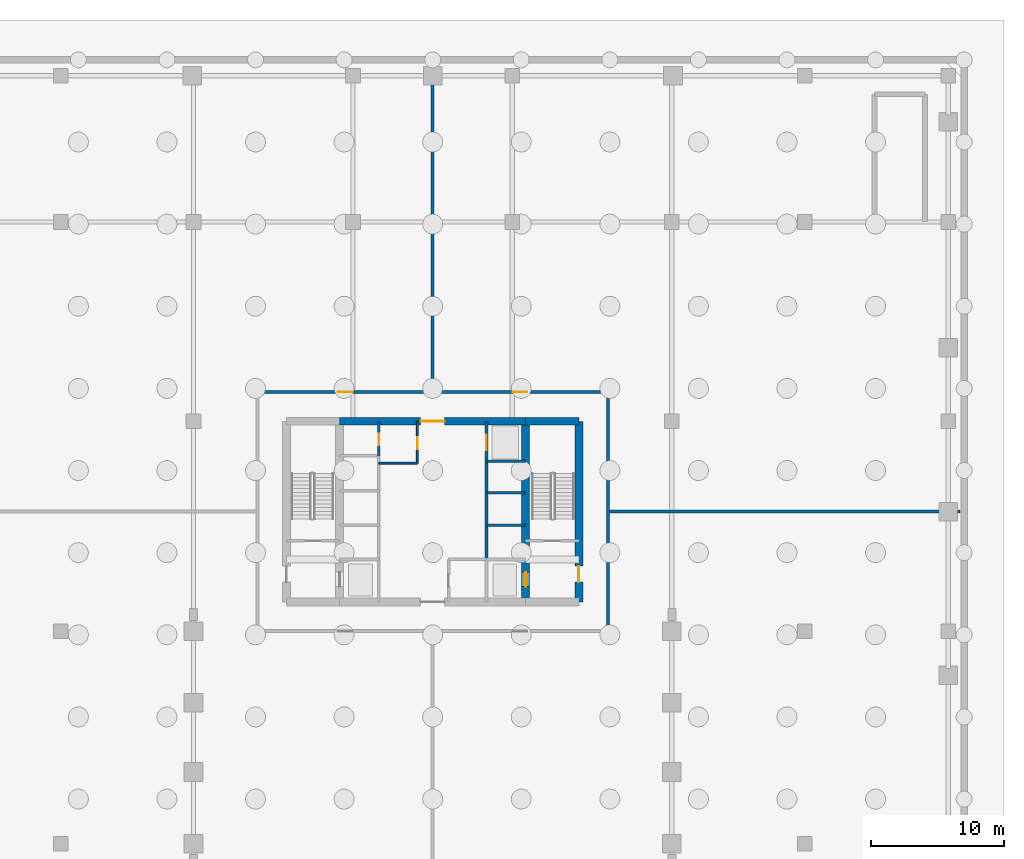
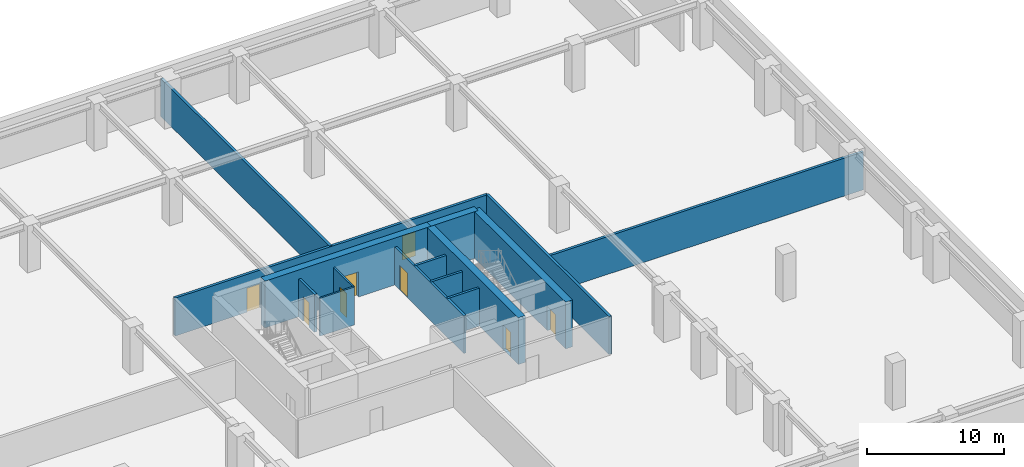
# One storey, part 5 of 8: 15 walls, 8 doors, 8 openings.
"""IFC4 building model written with IfcOpenShell, lengths in metres."""

import ifcopenshell
import ifcopenshell.guid

model = None  # the IFC model being written
_history = None  # IfcOwnerHistory: only IFC2X3 demands one
_inside = {}  # id of a spatial element -> (the spatial element, [elements in it])
_under = {}  # id of a project, library or spatial element -> (it, [spatial elements below it])
_declared = {}  # id of a project -> (the project, [libraries it declares])
_typed = {}  # id of a type object -> (the type object, [elements of that type])
_made_of = {}  # id of a material, layer set ... -> (it, [elements and type objects made of it])


def new_model(schema):
    """Start an empty IFC model of exactly this schema.

    Asked for "IFC4X3", IfcOpenShell would pick the latest addendum, in which some entities
    have other attributes; the version numbers below select the first issue.
    IFC2X3 requires an IfcOwnerHistory on every rooted entity: one is made here for all.
    """
    global model, _history
    if schema == "IFC4X3":
        model = ifcopenshell.file(schema_version=(4, 3, 0, 0))
    else:
        model = ifcopenshell.file(schema=schema)
    _inside.clear()
    _under.clear()
    _declared.clear()
    _typed.clear()
    _made_of.clear()
    _history = None
    if model.schema == "IFC2X3":
        org = make("IfcOrganization", Name="unknown")
        user = make(
            "IfcPersonAndOrganization",
            ThePerson=make("IfcPerson", FamilyName="unknown"),
            TheOrganization=org,
        )
        app = make(
            "IfcApplication",
            ApplicationDeveloper=org,
            Version="unknown",
            ApplicationFullName="unknown",
            ApplicationIdentifier="unknown",
        )
        _history = make(
            "IfcOwnerHistory",
            OwningUser=user,
            OwningApplication=app,
            ChangeAction="ADDED",
            CreationDate=0,
        )
    return model


def make(cls, **values):
    """One entity of the class cls with the attributes given. An attribute that is None is left unset."""
    return model.create_entity(
        cls, **{name: value for name, value in values.items() if value is not None}
    )


def rooted(cls, **values):
    """An entity with a GlobalId (a new one), such as an element, a storey or a relation."""
    return make(cls, GlobalId=ifcopenshell.guid.new(), OwnerHistory=_history, **values)


def si_unit(unit_type, name, prefix=None):
    """IfcSIUnit, for example si_unit("LENGTHUNIT", "METRE", prefix="MILLI")."""
    return make("IfcSIUnit", UnitType=unit_type, Prefix=prefix, Name=name)


def assignment(units):
    """IfcUnitAssignment: the units of a project."""
    return None if units is None else make("IfcUnitAssignment", Units=units)


def point(xyz):
    """IfcCartesianPoint."""
    return None if xyz is None else make("IfcCartesianPoint", Coordinates=xyz)


def direction(xyz):
    """IfcDirection."""
    return None if xyz is None else make("IfcDirection", DirectionRatios=xyz)


def frame(location, z_axis=None, x_axis=None):
    """IfcAxis2Placement3D, a coordinate frame: its origin and axes. An axis left out is left unset."""
    return make(
        "IfcAxis2Placement3D",
        Location=point(location),
        Axis=direction(z_axis),
        RefDirection=direction(x_axis),
    )


def frame_2d(location, x_axis=None):
    """IfcAxis2Placement2D, a coordinate frame in the plane: its origin and x axis."""
    return make(
        "IfcAxis2Placement2D", Location=point(location), RefDirection=direction(x_axis)
    )


def origin():
    """The frame at (0, 0, 0) with its axes left unset."""
    return frame((0.0, 0.0, 0.0))


def place(relative_to, where):
    """IfcLocalPlacement: puts the frame where relative to a parent placement (None: the world)."""
    return make(
        "IfcLocalPlacement", PlacementRelTo=relative_to, RelativePlacement=where
    )


def context(
    kind, dimensions, precision=None, world=None, true_north=None, identifier=None
):
    """IfcGeometricRepresentationContext, for example the 3D "Model" context."""
    return make(
        "IfcGeometricRepresentationContext",
        ContextIdentifier=identifier,
        ContextType=kind,
        CoordinateSpaceDimension=dimensions,
        Precision=precision,
        WorldCoordinateSystem=world,
        TrueNorth=true_north,
    )


def subcontext(parent, identifier, kind, view, scale=None):
    """IfcGeometricRepresentationSubContext, for example "Body" below "Model"."""
    return make(
        "IfcGeometricRepresentationSubContext",
        ContextIdentifier=identifier,
        ContextType=kind,
        ParentContext=parent,
        TargetScale=scale,
        TargetView=view,
    )


def project(units=None, contexts=None):
    """IfcProject with its units and contexts."""
    return rooted(
        "IfcProject",
        Name="project",
        RepresentationContexts=contexts,
        UnitsInContext=assignment(units),
    )


def spatial(cls, under=None, at=None, **own):
    """A site, building, storey or space (cls), placed at a placement, below another one or the project."""
    s = rooted(cls, ObjectPlacement=at, **own)
    if under is not None:
        _under.setdefault(under.id(), (under, []))[1].append(s)
    return s


def profile(cls, at=None, kind="AREA", **sizes):
    """A parametric profile (cls). Its sizes go by their IFC names, for example OverallWidth=200.0."""
    return make(cls, ProfileType=kind, Position=at, **sizes)


def rectangle(**sizes):
    """IfcRectangleProfileDef."""
    return profile("IfcRectangleProfileDef", **sizes)


def extrude(swept, where, along, depth):
    """IfcExtrudedAreaSolid: the profile swept, set in the frame where, extruded along a direction by depth."""
    return make(
        "IfcExtrudedAreaSolid",
        SweptArea=swept,
        Position=where,
        ExtrudedDirection=direction(along),
        Depth=depth,
    )


def shape(context_of_items, identifier, shape_type, items):
    """IfcShapeRepresentation: the items that make up one representation, for example the "Body"."""
    return make(
        "IfcShapeRepresentation",
        ContextOfItems=context_of_items,
        RepresentationIdentifier=identifier,
        RepresentationType=shape_type,
        Items=items,
    )


def material(Name=None, Category=None):
    """IfcMaterial."""
    return make("IfcMaterial", Name=Name, Category=Category)


def layer(
    of_material, thickness, ventilated=None, Name=None, Category=None, Priority=None
):
    """IfcMaterialLayer: one layer of a wall or slab, of a material (None: an air gap)."""
    return make(
        "IfcMaterialLayer",
        Material=of_material,
        LayerThickness=thickness,
        IsVentilated=ventilated,
        Name=Name,
        Category=Category,
        Priority=Priority,
    )


def layer_set(layers, Name=None):
    """IfcMaterialLayerSet."""
    return make("IfcMaterialLayerSet", MaterialLayers=layers, LayerSetName=Name)


def made_of(thing, what):
    """Note that an element or type object is made of a material, layer set ...; save() writes the relation."""
    if what is not None:
        _made_of.setdefault(what.id(), (what, []))[1].append(thing)
    return thing


def type_object(cls, material=None, **own):
    """A type object (cls), such as IfcWallType, which elements share."""
    return made_of(rooted(cls, **own), material)


def element(
    cls,
    number,
    at=None,
    inside=None,
    cuts=None,
    type_object=None,
    material=None,
    context=None,
    identifier="Body",
    shape_type=None,
    held_by="IfcProductDefinitionShape",
    body=None,
    shapes=None,
    **own,
):
    """One element of the class cls, such as IfcWall. Its Tag is "e" and its number.

    at: its placement. inside: the storey or other place that contains it. cuts: it is an
    opening in that element (IfcRelVoidsElement). A single representation is given by context,
    identifier, shape_type and body (its items); several are given by shapes. held_by: the class
    of the entity that holds the representations. save() writes the other relations.
    """
    e = rooted(cls, Tag="e%d" % number, ObjectPlacement=at, **own)
    if body is not None:
        shapes = [shape(context, identifier, shape_type, body)]
    if shapes is not None:
        e.Representation = make(held_by, Representations=shapes)
    if inside is not None:
        _inside.setdefault(inside.id(), (inside, []))[1].append(e)
    if cuts is not None:
        rooted(
            "IfcRelVoidsElement", RelatingBuildingElement=cuts, RelatedOpeningElement=e
        )
    if type_object is not None:
        _typed.setdefault(type_object.id(), (type_object, []))[1].append(e)
    return made_of(e, material)


def fill(opening, filler):
    """IfcRelFillsElement: the door or window that sits in an opening."""
    return rooted(
        "IfcRelFillsElement",
        RelatingOpeningElement=opening,
        RelatedBuildingElement=filler,
    )


def aggregate(whole, parts):
    """IfcRelAggregates: a whole, such as a stair, and the parts it consists of."""
    return rooted("IfcRelAggregates", RelatingObject=whole, RelatedObjects=parts)


def save(model, path):
    """Write the relations noted so far, then the file.

    IfcRelAggregates (storeys below a building ...), IfcRelContainedInSpatialStructure (elements
    in a storey), IfcRelDefinesByType, IfcRelAssociatesMaterial and IfcRelDeclares: one each for
    every whole, place, type object, material and project.
    """
    for whole, parts in _under.values():
        aggregate(whole, parts)
    for where, things in _inside.values():
        rooted(
            "IfcRelContainedInSpatialStructure",
            RelatedElements=things,
            RelatingStructure=where,
        )
    for kind, things in _typed.values():
        rooted("IfcRelDefinesByType", RelatedObjects=things, RelatingType=kind)
    for what, things in _made_of.values():
        rooted("IfcRelAssociatesMaterial", RelatedObjects=things, RelatingMaterial=what)
    for by, libraries in _declared.values():
        rooted("IfcRelDeclares", RelatingContext=by, RelatedDefinitions=libraries)
    model.write(path)


model = new_model("IFC4")

# Units and contexts
model_context = context("Model", 3, precision=1e-05, world=origin(), true_north=direction((0.0, 1.0)))
body_context = subcontext(model_context, "Body", "Model", "MODEL_VIEW")
ifc_project = project(units=[si_unit("LENGTHUNIT", "METRE"), si_unit("AREAUNIT", "SQUARE_METRE"), si_unit("VOLUMEUNIT", "CUBIC_METRE"), si_unit("PLANEANGLEUNIT", "RADIAN"), si_unit("MASSUNIT", "GRAM", prefix="KILO")], contexts=[model_context])

# Site, building, storey
site_placement = place(None, origin())
site = spatial("IfcSite", under=ifc_project, at=site_placement, CompositionType="ELEMENT")
building_placement = place(site_placement, origin())
building = spatial("IfcBuilding", under=site, at=building_placement, Name="Sarneth Arch Tower", CompositionType="ELEMENT")
storey_placement = place(building_placement, frame((0.0, 0.0, -9.0)))
storey = spatial("IfcBuildingStorey", under=building, at=storey_placement, Name="B02", CompositionType="ELEMENT", Elevation=-9.0)

# Wall, opening, door
ifc_material_1 = material(Name="Concrete C60/75", Category="concrete")
ifc_layer_1 = layer(ifc_material_1, 0.60009765625)
ifc_layer_set_1 = layer_set([ifc_layer_1], Name="Concrete C60/75")
wall_type_1 = type_object("IfcWallType", Name="WALL-CORE-600", PredefinedType="SHEAR", material=ifc_layer_set_1)
wall_1_placement = place(storey_placement, frame((41.0, 48.800048828125, 0.0), z_axis=(0.0, 0.0, 1.0), x_axis=(1.0, 0.0, 0.0)))
wall_1 = element("IfcWall", 1, at=wall_1_placement, inside=storey, type_object=wall_type_1, Name="B02 Core shear wall N-M", PredefinedType="SHEAR", context=body_context, shape_type="SweptSolid", body=[
    extrude(rectangle(XDim=14.0, YDim=0.60009765625, at=frame_2d((7.0, 0.0))), origin(), (0.0, 0.0, 1.0), 4.179931640625),
])
opening_1_placement = place(wall_1_placement, frame((6.10009765625, 0.0, 0.0)))
opening_1 = element("IfcOpeningElement", 2, at=opening_1_placement, cuts=wall_1, Name="Opening FD-01", PredefinedType="OPENING", context=body_context, shape_type="SweptSolid", body=[
    extrude(rectangle(XDim=1.800048828125, YDim=2.25, at=frame_2d((0.89990234375, 1.125))), frame((0.0, 0.31005859375, 0.0), z_axis=(0.0, -1.0, 0.0), x_axis=(1.0, 0.0, 0.0)), (0.0, 0.0, 1.0), 0.6201171875),
])
ifc_material_2 = material(Name="Galvanised Steel S275 fire door set", Category="steel")
door_type_1 = type_object("IfcDoorType", Name="DR-FD90-1800", OperationType="DOUBLE_DOOR_SINGLE_SWING", PredefinedType="DOOR", material=ifc_material_2)
door_1_placement = place(opening_1_placement, origin())
door_1 = element("IfcDoor", 3, at=door_1_placement, inside=storey, type_object=door_type_1, Name="B02 Central lift lobby north door", OperationType="DOUBLE_DOOR_SINGLE_SWING", OverallHeight=2.25, OverallWidth=1.800048828125, PredefinedType="DOOR", context=body_context, shape_type="SweptSolid", body=[
    extrude(rectangle(XDim=1.800048828125, YDim=2.25, at=frame_2d((0.89990234375, 1.125))), frame((0.0, 0.02490234375, 0.0), z_axis=(0.0, -1.0, 0.0), x_axis=(1.0, 0.0, 0.0)), (0.0, 0.0, 1.0), 0.050048828125),
])
fill(opening_1, door_1)

# Wall
wall_2_placement = place(storey_placement, frame((55.0, 48.800048828125, 0.0), z_axis=(0.0, 0.0, 1.0), x_axis=(1.0, 0.0, 0.0)))
element("IfcWall", 4, at=wall_2_placement, inside=storey, type_object=wall_type_1, Name="B02 Core shear wall N-E", PredefinedType="SHEAR", context=body_context, shape_type="SweptSolid", body=[
    extrude(rectangle(XDim=4.0, YDim=0.60009765625, at=frame_2d((2.0, 0.0))), origin(), (0.0, 0.0, 1.0), 4.179931640625),
])

# Wall, opening, door
wall_3_placement = place(storey_placement, frame((59.0, 35.199951171875, 0.0), z_axis=(0.0, 0.0, 1.0), x_axis=(0.0, 1.0, 0.0)))
wall_3 = element("IfcWall", 5, at=wall_3_placement, inside=storey, type_object=wall_type_1, Name="B02 Core shear wall E", PredefinedType="SHEAR", context=body_context, shape_type="SweptSolid", body=[
    extrude(rectangle(XDim=13.60009765625, YDim=0.60009765625, at=frame_2d((6.800048828125, 0.0))), origin(), (0.0, 0.0, 1.0), 4.179931640625),
])
opening_2_placement = place(wall_3_placement, frame((1.5, 0.0, 0.0)))
opening_2 = element("IfcOpeningElement", 6, at=opening_2_placement, cuts=wall_3, Name="Opening FD-02", PredefinedType="OPENING", context=body_context, shape_type="SweptSolid", body=[
    extrude(rectangle(XDim=1.199951171875, YDim=2.14990234375, at=frame_2d((0.60009765625, 1.074951171875))), frame((0.0, 0.31005859375, 0.0), z_axis=(0.0, -1.0, 0.0), x_axis=(1.0, 0.0, 0.0)), (0.0, 0.0, 1.0), 0.6201171875),
])
ifc_material_3 = material(Name="Galvanised Steel S275 fire door set", Category="steel")
door_type_2 = type_object("IfcDoorType", Name="DR-FD90-1200", OperationType="SINGLE_SWING_LEFT", PredefinedType="DOOR", material=ifc_material_3)
door_2_placement = place(opening_2_placement, origin())
door_2 = element("IfcDoor", 7, at=door_2_placement, inside=storey, type_object=door_type_2, Name="B02 Firefighting lobby 2 exit door", OperationType="SINGLE_SWING_RIGHT", OverallHeight=2.14990234375, OverallWidth=1.199951171875, PredefinedType="DOOR", context=body_context, shape_type="SweptSolid", body=[
    extrude(rectangle(XDim=1.199951171875, YDim=2.14990234375, at=frame_2d((0.60009765625, 1.074951171875))), frame((0.0, 0.02490234375, 0.0), z_axis=(0.0, -1.0, 0.0), x_axis=(1.0, 0.0, 0.0)), (0.0, 0.0, 1.0), 0.050048828125),
])
fill(opening_2, door_2)

wall_4_placement = place(storey_placement, frame((55.0, 35.199951171875, 0.0), z_axis=(0.0, 0.0, 1.0), x_axis=(0.0, 1.0, 0.0)))
wall_4 = element("IfcWall", 8, at=wall_4_placement, inside=storey, type_object=wall_type_1, Name="B02 Core shear wall WEB-E", PredefinedType="SHEAR", context=body_context, shape_type="SweptSolid", body=[
    extrude(rectangle(XDim=13.60009765625, YDim=0.60009765625, at=frame_2d((6.800048828125, 0.0))), origin(), (0.0, 0.0, 1.0), 4.179931640625),
])
opening_3_placement = place(wall_4_placement, frame((1.14990234375, 0.0, 0.0)))
opening_3 = element("IfcOpeningElement", 9, at=opening_3_placement, cuts=wall_4, Name="Opening LD-1", PredefinedType="OPENING", context=body_context, shape_type="SweptSolid", body=[
    extrude(rectangle(XDim=1.10009765625, YDim=2.199951171875, at=frame_2d((0.550048828125, 1.10009765625))), frame((0.0, 0.31005859375, 0.0), z_axis=(0.0, -1.0, 0.0), x_axis=(1.0, 0.0, 0.0)), (0.0, 0.0, 1.0), 0.6201171875),
])
ifc_material_4 = material(Name="Brushed Stainless Steel 304 lift landing door", Category="steel")
door_type_3 = type_object("IfcDoorType", Name="DR-LIFT-SLIDE-1100", OperationType="SLIDING_TO_LEFT", PredefinedType="DOOR", material=ifc_material_4)
door_3_placement = place(opening_3_placement, origin())
door_3 = element("IfcDoor", 10, at=door_3_placement, inside=storey, type_object=door_type_3, Name="B02 Firefighting lift landing door FL-2", OperationType="SLIDING_TO_RIGHT", OverallHeight=2.199951171875, OverallWidth=1.10009765625, PredefinedType="DOOR", context=body_context, shape_type="SweptSolid", body=[
    extrude(rectangle(XDim=1.10009765625, YDim=2.199951171875, at=frame_2d((0.550048828125, 1.10009765625))), frame((0.0, 0.02490234375, 0.0), z_axis=(0.0, -1.0, 0.0), x_axis=(1.0, 0.0, 0.0)), (0.0, 0.0, 1.0), 0.050048828125),
])
fill(opening_3, door_3)

# Walls
ifc_material_5 = material(Name="Aerated concrete blockwork C25/30", Category="masonry")
ifc_layer_2 = layer(ifc_material_5, 0.219970703125)
ifc_layer_set_2 = layer_set([ifc_layer_2], Name="Aerated concrete blockwork C25/30")
wall_type_2 = type_object("IfcWallType", Name="WALL-FIRE-220", PredefinedType="SOLIDWALL", material=ifc_layer_set_2)
wall_5_placement = place(storey_placement, frame((87.699951171875, 42.0, 0.0), z_axis=(0.0, 0.0, 1.0), x_axis=(-1.0, 0.0, 0.0)))
element("IfcWall", 11, at=wall_5_placement, inside=storey, type_object=wall_type_2, Name="B02 Interior partition W-B02-TP-010", PredefinedType="SOLIDWALL", context=body_context, shape_type="SweptSolid", body=[
    extrude(rectangle(XDim=26.5, YDim=0.219970703125, at=frame_2d((13.25, 0.0))), origin(), (0.0, 0.0, 1.0), 3.3798828125),
])
wall_6_placement = place(storey_placement, frame((48.0, 51.0, 0.0), z_axis=(0.0, 0.0, 1.0), x_axis=(0.0, 1.0, 0.0)))
element("IfcWall", 12, at=wall_6_placement, inside=storey, type_object=wall_type_2, Name="B02 Interior partition W-B02-TP-009", PredefinedType="SOLIDWALL", context=body_context, shape_type="SweptSolid", body=[
    extrude(rectangle(XDim=24.699951171875, YDim=0.219970703125, at=frame_2d((12.35009765625, 0.0))), origin(), (0.0, 0.0, 1.0), 3.3798828125),
])

# Wall, openings, doors
wall_7_placement = place(storey_placement, frame((34.800048828125, 51.0, 0.0), z_axis=(0.0, 0.0, 1.0), x_axis=(1.0, 0.0, 0.0)))
wall_7 = element("IfcWall", 13, at=wall_7_placement, inside=storey, type_object=wall_type_2, Name="B02 Interior partition W-B02-TP-001", PredefinedType="SOLIDWALL", context=body_context, shape_type="SweptSolid", body=[
    extrude(rectangle(XDim=26.39990234375, YDim=0.219970703125, at=frame_2d((13.199951171875, 0.0))), origin(), (0.0, 0.0, 1.0), 3.3798828125),
])
opening_4_placement = place(wall_7_placement, frame((19.23388671875, 0.0, 0.0)))
opening_4 = element("IfcOpeningElement", 14, at=opening_4_placement, cuts=wall_7, Name="Opening FD-03", PredefinedType="OPENING", context=body_context, shape_type="SweptSolid", body=[
    extrude(rectangle(XDim=1.10009765625, YDim=2.14990234375, at=frame_2d((0.550048828125, 1.074951171875))), frame((0.0, 0.119873046875, 0.0), z_axis=(0.0, -1.0, 0.0), x_axis=(1.0, 0.0, 0.0)), (0.0, 0.0, 1.0), 0.239990234375),
])
opening_5_placement = place(wall_7_placement, frame((6.06591796875, 0.0, 0.0)))
opening_5 = element("IfcOpeningElement", 15, at=opening_5_placement, cuts=wall_7, Name="Opening FD-03", PredefinedType="OPENING", context=body_context, shape_type="SweptSolid", body=[
    extrude(rectangle(XDim=1.10009765625, YDim=2.14990234375, at=frame_2d((0.550048828125, 1.074951171875))), frame((0.0, 0.119873046875, 0.0), z_axis=(0.0, -1.0, 0.0), x_axis=(1.0, 0.0, 0.0)), (0.0, 0.0, 1.0), 0.239990234375),
])
ifc_material_6 = material(Name="Galvanised Steel S275 fire door set", Category="steel")
door_type_4 = type_object("IfcDoorType", Name="DR-FD90-1100", OperationType="SINGLE_SWING_LEFT", PredefinedType="DOOR", material=ifc_material_6)
door_4_placement = place(opening_4_placement, origin())
door_4 = element("IfcDoor", 16, at=door_4_placement, inside=storey, type_object=door_type_4, Name="B02 Interior door DR-B02-PSEC-1", OperationType="SINGLE_SWING_LEFT", OverallHeight=2.14990234375, OverallWidth=1.10009765625, PredefinedType="DOOR", context=body_context, shape_type="SweptSolid", body=[
    extrude(rectangle(XDim=1.10009765625, YDim=2.14990234375, at=frame_2d((0.550048828125, 1.074951171875))), frame((0.0, 0.02490234375, 0.0), z_axis=(0.0, -1.0, 0.0), x_axis=(1.0, 0.0, 0.0)), (0.0, 0.0, 1.0), 0.050048828125),
])
fill(opening_4, door_4)
door_5_placement = place(opening_5_placement, origin())
door_5 = element("IfcDoor", 17, at=door_5_placement, inside=storey, type_object=door_type_4, Name="B02 Interior door DR-B02-PSEC-2", OperationType="SINGLE_SWING_LEFT", OverallHeight=2.14990234375, OverallWidth=1.10009765625, PredefinedType="DOOR", context=body_context, shape_type="SweptSolid", body=[
    extrude(rectangle(XDim=1.10009765625, YDim=2.14990234375, at=frame_2d((0.550048828125, 1.074951171875))), frame((0.0, 0.02490234375, 0.0), z_axis=(0.0, -1.0, 0.0), x_axis=(1.0, 0.0, 0.0)), (0.0, 0.0, 1.0), 0.050048828125),
])
fill(opening_5, door_5)

# Walls
wall_8_placement = place(storey_placement, frame((61.199951171875, 51.0, 0.0), z_axis=(0.0, 0.0, 1.0), x_axis=(0.0, -1.0, 0.0)))
element("IfcWall", 18, at=wall_8_placement, inside=storey, type_object=wall_type_2, Name="B02 Interior partition W-B02-TP-002", PredefinedType="SOLIDWALL", context=body_context, shape_type="SweptSolid", body=[
    extrude(rectangle(XDim=18.0, YDim=0.219970703125, at=frame_2d((9.0, 0.0))), origin(), (0.0, 0.0, 1.0), 3.3798828125),
])
ifc_material_7 = material(Name="Acoustic gypsum stud partition", Category="gypsum")
ifc_layer_3 = layer(ifc_material_7, 0.14990234375)
ifc_layer_set_3 = layer_set([ifc_layer_3], Name="Acoustic gypsum stud partition")
wall_type_3 = type_object("IfcWallType", Name="WALL-PART-150", PredefinedType="PARTITIONING", material=ifc_layer_set_3)
wall_9_placement = place(storey_placement, frame((43.949951171875, 45.64990234375, 0.0), z_axis=(0.0, 0.0, 1.0), x_axis=(1.0, 0.0, 0.0)))
element("IfcWall", 19, at=wall_9_placement, inside=storey, type_object=wall_type_3, Name="B02 Interior partition W-B02-CSUP1-S", PredefinedType="PARTITIONING", context=body_context, shape_type="SweptSolid", body=[
    extrude(rectangle(XDim=2.900146484375, YDim=0.14990234375, at=frame_2d((1.4501953125, 0.0))), origin(), (0.0, 0.0, 1.0), 3.3798828125),
])

# Wall, opening, door
wall_10_placement = place(storey_placement, frame((46.85009765625, 45.64990234375, 0.0), z_axis=(0.0, 0.0, 1.0), x_axis=(0.0, 1.0, 0.0)))
wall_10 = element("IfcWall", 20, at=wall_10_placement, inside=storey, type_object=wall_type_3, Name="B02 Interior partition W-B02-CSUP1-E", PredefinedType="PARTITIONING", context=body_context, shape_type="SweptSolid", body=[
    extrude(rectangle(XDim=3.150146484375, YDim=0.14990234375, at=frame_2d((1.5751953125, 0.0))), origin(), (0.0, 0.0, 1.0), 3.3798828125),
])
opening_6_placement = place(wall_10_placement, frame((1.050048828125, 0.0, 0.0)))
opening_6 = element("IfcOpeningElement", 21, at=opening_6_placement, cuts=wall_10, Name="Opening FD-10", PredefinedType="OPENING", context=body_context, shape_type="SweptSolid", body=[
    extrude(rectangle(XDim=0.89990234375, YDim=2.14990234375, at=frame_2d((0.449951171875, 1.074951171875))), frame((0.0, 0.0849609375, 0.0), z_axis=(0.0, -1.0, 0.0), x_axis=(1.0, 0.0, 0.0)), (0.0, 0.0, 1.0), 0.169921875),
])
ifc_material_8 = material(Name="Galvanised Steel S275 riser/service fire door", Category="steel")
door_type_5 = type_object("IfcDoorType", Name="DR-FD60-900", OperationType="SINGLE_SWING_LEFT", PredefinedType="DOOR", material=ifc_material_8)
door_6_placement = place(opening_6_placement, origin())
door_6 = element("IfcDoor", 22, at=door_6_placement, inside=storey, type_object=door_type_5, Name="B02 Interior door DR-B02-CSUP1", OperationType="SINGLE_SWING_LEFT", OverallHeight=2.14990234375, OverallWidth=0.89990234375, PredefinedType="DOOR", context=body_context, shape_type="SweptSolid", body=[
    extrude(rectangle(XDim=0.89990234375, YDim=2.14990234375, at=frame_2d((0.449951171875, 1.074951171875))), frame((0.0, 0.02490234375, 0.0), z_axis=(0.0, -1.0, 0.0), x_axis=(1.0, 0.0, 0.0)), (0.0, 0.0, 1.0), 0.050048828125),
])
fill(opening_6, door_6)

ifc_material_9 = material(Name="Aerated concrete blockwork C25/30", Category="masonry")
ifc_layer_4 = layer(ifc_material_9, 0.199951171875)
ifc_layer_set_4 = layer_set([ifc_layer_4], Name="Aerated concrete blockwork C25/30")
wall_type_4 = type_object("IfcWallType", Name="WALL-SHAFT-200", PredefinedType="SOLIDWALL", material=ifc_layer_set_4)
wall_11_placement = place(storey_placement, frame((43.949951171875, 46.199951171875, 0.0), z_axis=(0.0, 0.0, 1.0), x_axis=(0.0, 1.0, 0.0)))
wall_11 = element("IfcWall", 23, at=wall_11_placement, inside=storey, type_object=wall_type_4, Name="B02 Interior partition W-B02-RISER-E", PredefinedType="SOLIDWALL", context=body_context, shape_type="SweptSolid", body=[
    extrude(rectangle(XDim=2.60009765625, YDim=0.199951171875, at=frame_2d((1.300048828125, 0.0))), origin(), (0.0, 0.0, 1.0), 3.3798828125),
])
opening_7_placement = place(wall_11_placement, frame((0.800048828125, 0.0, 0.0)))
opening_7 = element("IfcOpeningElement", 24, at=opening_7_placement, cuts=wall_11, Name="Opening FD-11", PredefinedType="OPENING", context=body_context, shape_type="SweptSolid", body=[
    extrude(rectangle(XDim=0.85009765625, YDim=2.14990234375, at=frame_2d((0.425048828125, 1.074951171875))), frame((0.0, 0.10986328125, 0.0), z_axis=(0.0, -1.0, 0.0), x_axis=(1.0, 0.0, 0.0)), (0.0, 0.0, 1.0), 0.219970703125),
])
ifc_material_10 = material(Name="Galvanised Steel S275 closet fire door", Category="steel")
door_type_6 = type_object("IfcDoorType", Name="DR-FD60-850", OperationType="SINGLE_SWING_LEFT", PredefinedType="DOOR", material=ifc_material_10)
door_7_placement = place(opening_7_placement, origin())
door_7 = element("IfcDoor", 25, at=door_7_placement, inside=storey, type_object=door_type_6, Name="B02 Lift landing door DR-B02-RISER", OperationType="SINGLE_SWING_LEFT", OverallHeight=2.14990234375, OverallWidth=0.85009765625, PredefinedType="DOOR", context=body_context, shape_type="SweptSolid", body=[
    extrude(rectangle(XDim=0.85009765625, YDim=2.14990234375, at=frame_2d((0.425048828125, 1.074951171875))), frame((0.0, 0.02490234375, 0.0), z_axis=(0.0, -1.0, 0.0), x_axis=(1.0, 0.0, 0.0)), (0.0, 0.0, 1.0), 0.050048828125),
])
fill(opening_7, door_7)

wall_12_placement = place(storey_placement, frame((52.050048828125, 38.39990234375, 0.0), z_axis=(0.0, 0.0, 1.0), x_axis=(0.0, 1.0, 0.0)))
wall_12 = element("IfcWall", 26, at=wall_12_placement, inside=storey, type_object=wall_type_4, Name="B02 Interior partition W-B02-EASTBANK-FRONT", PredefinedType="SOLIDWALL", context=body_context, shape_type="SweptSolid", body=[
    extrude(rectangle(XDim=10.400146484375, YDim=0.199951171875, at=frame_2d((5.2001953125, 0.0))), origin(), (0.0, 0.0, 1.0), 3.3798828125),
])
opening_8_placement = place(wall_12_placement, frame((8.199951171875, 0.0, 0.0)))
opening_8 = element("IfcOpeningElement", 27, at=opening_8_placement, cuts=wall_12, Name="Opening LD-2", PredefinedType="OPENING", context=body_context, shape_type="SweptSolid", body=[
    extrude(rectangle(XDim=1.199951171875, YDim=2.199951171875, at=frame_2d((0.60009765625, 1.10009765625))), frame((0.0, 0.10986328125, 0.0), z_axis=(0.0, -1.0, 0.0), x_axis=(1.0, 0.0, 0.0)), (0.0, 0.0, 1.0), 0.219970703125),
])
ifc_material_11 = material(Name="Brushed Stainless Steel 304 service lift door", Category="steel")
door_type_7 = type_object("IfcDoorType", Name="DR-LIFT-SLIDE-1200", OperationType="SLIDING_TO_RIGHT", PredefinedType="DOOR", material=ifc_material_11)
door_8_placement = place(opening_8_placement, origin())
door_8 = element("IfcDoor", 28, at=door_8_placement, inside=storey, type_object=door_type_7, Name="B02 Lift landing door DR-B02-LD-SL1", OperationType="SLIDING_TO_RIGHT", OverallHeight=2.199951171875, OverallWidth=1.199951171875, PredefinedType="DOOR", context=body_context, shape_type="SweptSolid", body=[
    extrude(rectangle(XDim=1.199951171875, YDim=2.199951171875, at=frame_2d((0.60009765625, 1.10009765625))), frame((0.0, 0.02490234375, 0.0), z_axis=(0.0, -1.0, 0.0), x_axis=(1.0, 0.0, 0.0)), (0.0, 0.0, 1.0), 0.050048828125),
])
fill(opening_8, door_8)

# Walls
for number, where, z_axis, x_axis, name in (
    (29, (52.050048828125, 40.97998046875, 0.0), (0.0, 0.0, 1.0), (1.0, 0.0, 0.0), "B02 Interior partition W-B02-EB-DIV-4098"),
    (30, (52.050048828125, 43.419921875, 0.0), (0.0, 0.0, 1.0), (1.0, 0.0, 0.0), "B02 Interior partition W-B02-EB-DIV-4342"),
    (31, (52.050048828125, 45.800048828125, 0.0), (0.0, 0.0, 1.0), (1.0, 0.0, 0.0), "B02 Interior partition W-B02-EB-DIV-4580"),
):
    element("IfcWall", number, at=place(storey_placement, frame(where, z_axis=z_axis, x_axis=x_axis)), inside=storey, type_object=wall_type_4, Name=name, PredefinedType="SOLIDWALL", context=body_context, shape_type="SweptSolid", body=[
        extrude(rectangle(XDim=2.949951171875, YDim=0.199951171875, at=frame_2d((1.47509765625, 0.0))), origin(), (0.0, 0.0, 1.0), 3.3798828125),
    ])

save(model, "model.ifc")
